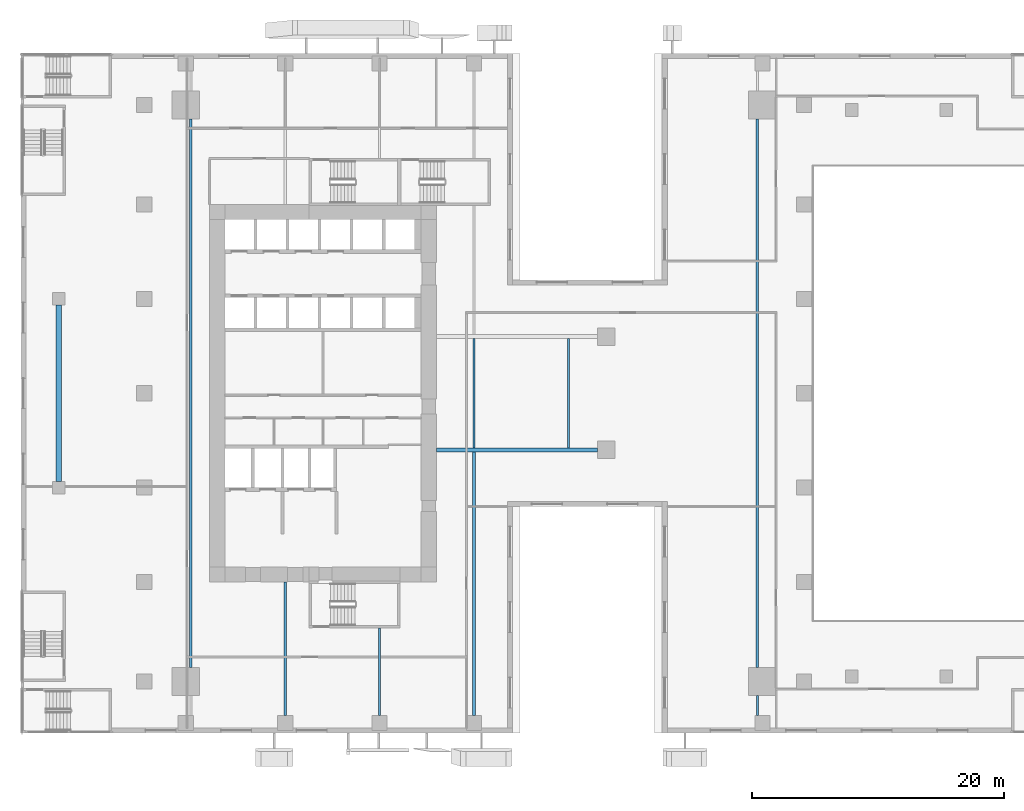
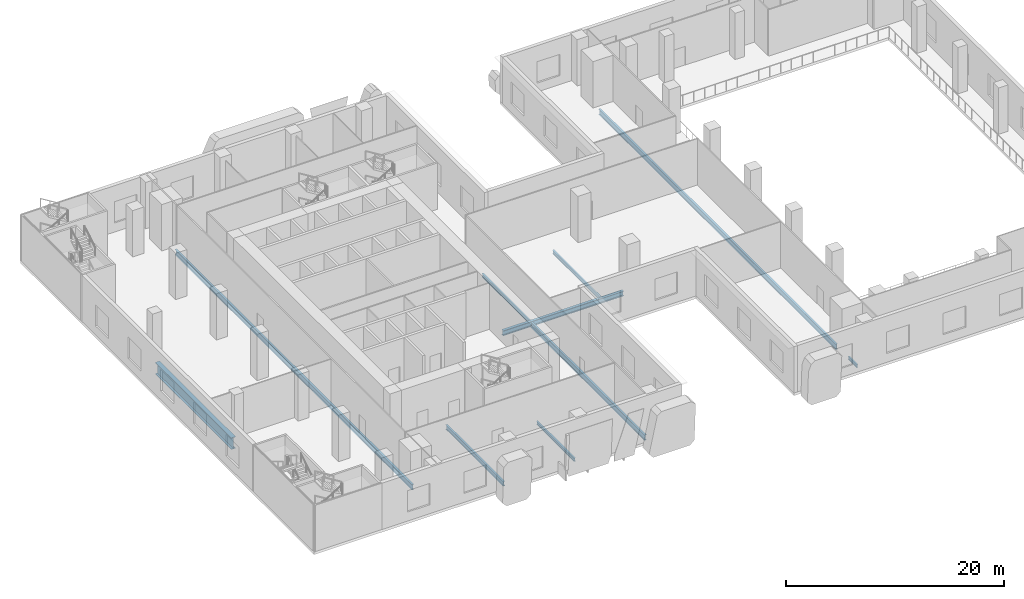
# One storey, part 3 of 23: 10 beams.
"""IFC4 building model written with IfcOpenShell, lengths in metres."""

from ifc_helpers import new_model, si_unit, direction, frame, origin, origin_2d, place, context, subcontext, project, spatial, i_section, extrude, source, transform, mapped, material, material_profile, profile_set, type_object, element, save


model = new_model("IFC4")

# Units and contexts
model_context = context("Model", 3, precision=1e-05, world=origin(), true_north=direction((0.0, 1.0)))
body_context = subcontext(model_context, "Body", "Model", "MODEL_VIEW")
ifc_project = project(units=[si_unit("LENGTHUNIT", "METRE"), si_unit("AREAUNIT", "SQUARE_METRE"), si_unit("VOLUMEUNIT", "CUBIC_METRE"), si_unit("PLANEANGLEUNIT", "RADIAN"), si_unit("MASSUNIT", "GRAM", prefix="KILO")], contexts=[model_context])

# Site, building, storey
site_placement = place(None, origin())
site = spatial("IfcSite", under=ifc_project, at=site_placement, CompositionType="ELEMENT")
building_placement = place(site_placement, origin())
building = spatial("IfcBuilding", under=site, at=building_placement, Name="Khomas Fold Tower", CompositionType="ELEMENT")
storey_placement = place(building_placement, frame((0.0, 0.0, 13.0)))
storey = spatial("IfcBuildingStorey", under=building, at=storey_placement, Name="L02", CompositionType="ELEMENT", Elevation=13.0)

# Beams
ifc_material_1 = material(Name="Steel S355", Category="steel")
ifc_material_profile_1 = material_profile(ifc_material_1, i_section(OverallWidth=0.300048828125, OverallDepth=0.550048828125, WebThickness=0.014892578125, FlangeThickness=0.029052734375, at=origin_2d()), Name="HE 550 B")
ifc_profile_set_1 = profile_set([ifc_material_profile_1], Name="Steel S355")
beam_type_1 = type_object("IfcBeamType", Name="HE 550 B beam GB4", PredefinedType="BEAM", material=ifc_profile_set_1)
shared_shape_1 = source(origin(), body_context, "Body", "SweptSolid", [
    extrude(i_section(OverallWidth=0.300048828125, OverallDepth=0.550048828125, WebThickness=0.014892578125, FlangeThickness=0.029052734375, at=origin_2d()), origin(), (0.0, 0.0, 1.0), 12.800048828125),
])
beam_1_placement = place(storey_placement, frame((24.0, 22.5, -0.574951171875), z_axis=(1.0, 0.0, 0.0), x_axis=(0.0, 1.0, 0.0)))
element("IfcBeam", 1, at=beam_1_placement, inside=storey, type_object=beam_type_1, Name="GB4", PredefinedType="BEAM", context=body_context, shape_type="MappedRepresentation", body=[
    mapped(shared_shape_1, transform((0.0, 0.0, 0.0))),
])
ifc_material_2 = material(Name="Steel S355", Category="steel")
ifc_material_profile_2 = material_profile(ifc_material_2, i_section(OverallWidth=0.159912109375, OverallDepth=0.330078125, WebThickness=0.007568359375, FlangeThickness=0.011474609375, at=origin_2d()), Name="IPE 330")
ifc_profile_set_2 = profile_set([ifc_material_profile_2], Name="Steel S355")
beam_type_2 = type_object("IfcBeamType", Name="IPE 330 beam JB1", PredefinedType="BEAM", material=ifc_profile_set_2)
shared_shape_2 = source(origin(), body_context, "Body", "SweptSolid", [
    extrude(i_section(OverallWidth=0.159912109375, OverallDepth=0.330078125, WebThickness=0.007568359375, FlangeThickness=0.011474609375, at=origin_2d()), origin(), (0.0, 0.0, 1.0), 1.60009765625),
])
beam_2_placement = place(storey_placement, frame((49.5, 1.39990234375, -0.465087890625), z_axis=(0.0, 1.0, 0.0), x_axis=(-1.0, 0.0, 0.0)))
element("IfcBeam", 2, at=beam_2_placement, inside=storey, type_object=beam_type_2, Name="JB1", PredefinedType="BEAM", context=body_context, shape_type="MappedRepresentation", body=[
    mapped(shared_shape_2, transform((0.0, 0.0, 0.0))),
])
ifc_material_3 = material(Name="Steel S355", Category="steel")
ifc_material_profile_3 = material_profile(ifc_material_3, i_section(OverallWidth=0.219970703125, OverallDepth=0.60009765625, WebThickness=0.011962890625, FlangeThickness=0.01904296875, at=origin_2d()), Name="IPE 600")
ifc_profile_set_3 = profile_set([ifc_material_profile_3], Name="Steel S355")
beam_type_3 = type_object("IfcBeamType", Name="IPE 600 beam JB7", PredefinedType="BEAM", material=ifc_profile_set_3)
shared_shape_3 = source(origin(), body_context, "Body", "SweptSolid", [
    extrude(i_section(OverallWidth=0.219970703125, OverallDepth=0.60009765625, WebThickness=0.011962890625, FlangeThickness=0.01904296875, at=origin_2d()), origin(), (0.0, 0.0, 1.0), 43.60009765625),
])
for number, where, z_axis, x_axis, name in (
    (3, (4.5, 5.199951171875, -0.60009765625), (0.0, 1.0, 0.0), (-1.0, 0.0, 0.0), "JB7"),
    (4, (49.5, 5.199951171875, -0.60009765625), (0.0, 1.0, 0.0), (-1.0, 0.0, 0.0), "JB7"),
):
    element("IfcBeam", number, at=place(storey_placement, frame(where, z_axis=z_axis, x_axis=x_axis)), inside=storey, type_object=beam_type_3, Name=name, PredefinedType="BEAM", context=body_context, shape_type="MappedRepresentation", body=[
        mapped(shared_shape_3, transform((0.0, 0.0, 0.0))),
    ])
ifc_material_4 = material(Name="Steel S355", Category="steel")
ifc_material_profile_4 = material_profile(ifc_material_4, i_section(OverallWidth=0.199951171875, OverallDepth=0.5, WebThickness=0.01025390625, FlangeThickness=0.01611328125, at=origin_2d()), Name="IPE 500")
ifc_profile_set_4 = profile_set([ifc_material_profile_4], Name="Steel S355")
beam_type_4 = type_object("IfcBeamType", Name="IPE 500 beam JB5", PredefinedType="BEAM", material=ifc_profile_set_4)
shared_shape_4 = source(origin(), body_context, "Body", "SweptSolid", [
    extrude(i_section(OverallWidth=0.199951171875, OverallDepth=0.5, WebThickness=0.01025390625, FlangeThickness=0.01611328125, at=origin_2d()), origin(), (0.0, 0.0, 1.0), 10.60009765625),
])
beam_3_placement = place(storey_placement, frame((12.0, 1.39990234375, -0.550048828125), z_axis=(0.0, 1.0, 0.0), x_axis=(-1.0, 0.0, 0.0)))
element("IfcBeam", 5, at=beam_3_placement, inside=storey, type_object=beam_type_4, Name="JB5", PredefinedType="BEAM", context=body_context, shape_type="MappedRepresentation", body=[
    mapped(shared_shape_4, transform((0.0, 0.0, 0.0))),
])
ifc_material_5 = material(Name="Steel S355", Category="steel")
ifc_material_profile_5 = material_profile(ifc_material_5, i_section(OverallWidth=0.169921875, OverallDepth=0.360107421875, WebThickness=0.008056640625, FlangeThickness=0.0126953125, at=origin_2d()), Name="IPE 360")
ifc_profile_set_5 = profile_set([ifc_material_profile_5], Name="Steel S355")
beam_type_5 = type_object("IfcBeamType", Name="IPE 360 beam JB2", PredefinedType="BEAM", material=ifc_profile_set_5)
shared_shape_5 = source(origin(), body_context, "Body", "SweptSolid", [
    extrude(i_section(OverallWidth=0.169921875, OverallDepth=0.360107421875, WebThickness=0.008056640625, FlangeThickness=0.0126953125, at=origin_2d()), origin(), (0.0, 0.0, 1.0), 6.9501953125),
])
beam_4_placement = place(storey_placement, frame((19.5, 1.39990234375, -0.47998046875), z_axis=(0.0, 1.0, 0.0), x_axis=(-1.0, 0.0, 0.0)))
element("IfcBeam", 6, at=beam_4_placement, inside=storey, type_object=beam_type_5, Name="JB2", PredefinedType="BEAM", context=body_context, shape_type="MappedRepresentation", body=[
    mapped(shared_shape_5, transform((0.0, 0.0, 0.0))),
])
shared_shape_6 = source(origin(), body_context, "Body", "SweptSolid", [
    extrude(i_section(OverallWidth=0.219970703125, OverallDepth=0.60009765625, WebThickness=0.011962890625, FlangeThickness=0.01904296875, at=origin_2d()), origin(), (0.0, 0.0, 1.0), 20.9501953125),
])
beam_5_placement = place(storey_placement, frame((27.0, 1.39990234375, -0.60009765625), z_axis=(0.0, 1.0, 0.0), x_axis=(-1.0, 0.0, 0.0)))
element("IfcBeam", 7, at=beam_5_placement, inside=storey, type_object=beam_type_3, Name="JB7", PredefinedType="BEAM", context=body_context, shape_type="MappedRepresentation", body=[
    mapped(shared_shape_6, transform((0.0, 0.0, 0.0))),
])
ifc_material_6 = material(Name="Steel S355", Category="steel")
ifc_material_profile_6 = material_profile(ifc_material_6, i_section(OverallWidth=0.179931640625, OverallDepth=0.39990234375, WebThickness=0.008544921875, FlangeThickness=0.013427734375, at=origin_2d()), Name="IPE 400")
ifc_profile_set_6 = profile_set([ifc_material_profile_6], Name="Steel S355")
beam_type_6 = type_object("IfcBeamType", Name="IPE 400 beam JB3", PredefinedType="BEAM", material=ifc_profile_set_6)
shared_shape_7 = source(origin(), body_context, "Body", "SweptSolid", [
    extrude(i_section(OverallWidth=0.179931640625, OverallDepth=0.39990234375, WebThickness=0.008544921875, FlangeThickness=0.013427734375, at=origin_2d()), origin(), (0.0, 0.0, 1.0), 8.7001953125),
])
for number, where, z_axis, x_axis, name in (
    (8, (27.0, 22.64990234375, -0.5), (0.0, 1.0, 0.0), (-1.0, 0.0, 0.0), "JB3"),
    (9, (34.5, 22.64990234375, -0.5), (0.0, 1.0, 0.0), (-1.0, 0.0, 0.0), "JB3"),
):
    element("IfcBeam", number, at=place(storey_placement, frame(where, z_axis=z_axis, x_axis=x_axis)), inside=storey, type_object=beam_type_6, Name=name, PredefinedType="BEAM", context=body_context, shape_type="MappedRepresentation", body=[
        mapped(shared_shape_7, transform((0.0, 0.0, 0.0))),
    ])
ifc_material_7 = material(Name="Steel S460M", Category="steel")
ifc_material_profile_7 = material_profile(ifc_material_7, i_section(OverallWidth=0.449951171875, OverallDepth=1.300048828125, WebThickness=0.02490234375, FlangeThickness=0.050048828125, at=origin_2d()), Name="PG 1300x450")
ifc_profile_set_7 = profile_set([ifc_material_profile_7], Name="Steel S460M")
beam_type_7 = type_object("IfcBeamType", Name="PG 1300x450 beam TG2", PredefinedType="BEAM", material=ifc_profile_set_7)
shared_shape_8 = source(origin(), body_context, "Body", "SweptSolid", [
    extrude(i_section(OverallWidth=0.449951171875, OverallDepth=1.300048828125, WebThickness=0.02490234375, FlangeThickness=0.050048828125, at=origin_2d()), origin(), (0.0, 0.0, 1.0), 14.0),
])
beam_6_placement = place(storey_placement, frame((-6.0, 20.0, -0.949951171875), z_axis=(0.0, 1.0, 0.0), x_axis=(-1.0, 0.0, 0.0)))
element("IfcBeam", 10, at=beam_6_placement, inside=storey, type_object=beam_type_7, Name="TG2", PredefinedType="BEAM", context=body_context, shape_type="MappedRepresentation", body=[
    mapped(shared_shape_8, transform((0.0, 0.0, 0.0))),
])

save(model, "model.ifc")
